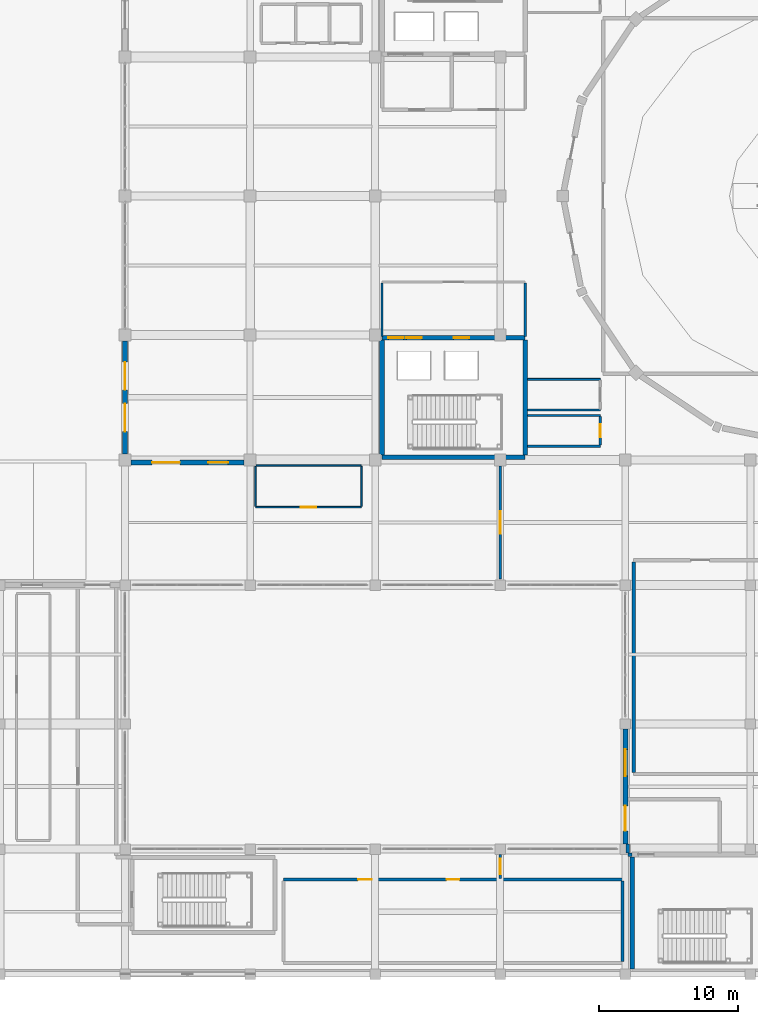
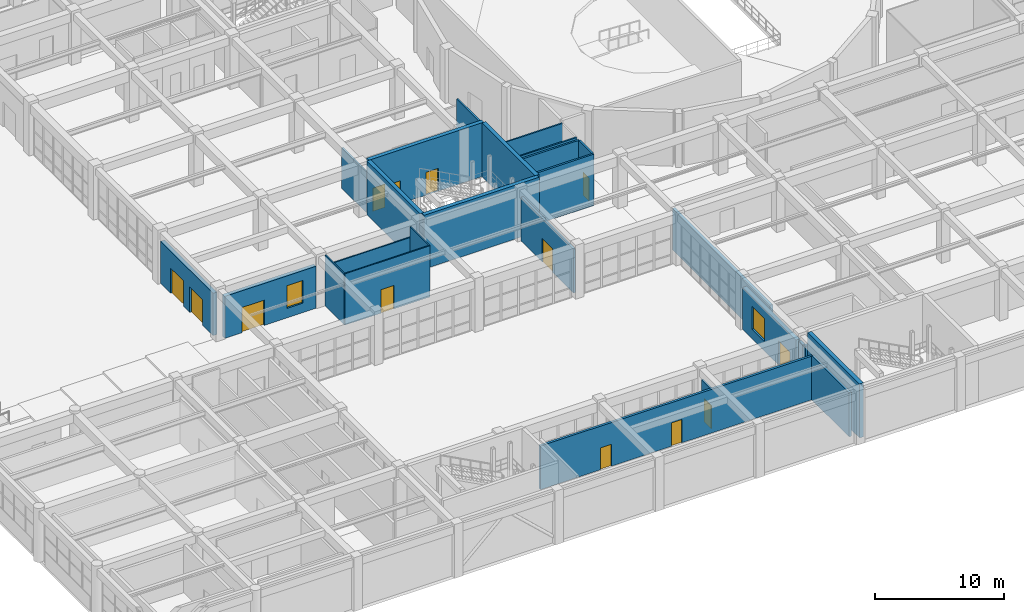
# One storey, part 101 of 128: 26 walls, 13 doors, 2 windows, 15 openings.
"""IFC4 building model written with IfcOpenShell, lengths in metres."""

import ifcopenshell
import ifcopenshell.guid

model = None  # the IFC model being written
_history = None  # IfcOwnerHistory: only IFC2X3 demands one
_inside = {}  # id of a spatial element -> (the spatial element, [elements in it])
_under = {}  # id of a project, library or spatial element -> (it, [spatial elements below it])
_declared = {}  # id of a project -> (the project, [libraries it declares])
_typed = {}  # id of a type object -> (the type object, [elements of that type])
_made_of = {}  # id of a material, layer set ... -> (it, [elements and type objects made of it])


def new_model(schema):
    """Start an empty IFC model of exactly this schema.

    Asked for "IFC4X3", IfcOpenShell would pick the latest addendum, in which some entities
    have other attributes; the version numbers below select the first issue.
    IFC2X3 requires an IfcOwnerHistory on every rooted entity: one is made here for all.
    """
    global model, _history
    if schema == "IFC4X3":
        model = ifcopenshell.file(schema_version=(4, 3, 0, 0))
    else:
        model = ifcopenshell.file(schema=schema)
    _inside.clear()
    _under.clear()
    _declared.clear()
    _typed.clear()
    _made_of.clear()
    _history = None
    if model.schema == "IFC2X3":
        org = make("IfcOrganization", Name="unknown")
        user = make(
            "IfcPersonAndOrganization",
            ThePerson=make("IfcPerson", FamilyName="unknown"),
            TheOrganization=org,
        )
        app = make(
            "IfcApplication",
            ApplicationDeveloper=org,
            Version="unknown",
            ApplicationFullName="unknown",
            ApplicationIdentifier="unknown",
        )
        _history = make(
            "IfcOwnerHistory",
            OwningUser=user,
            OwningApplication=app,
            ChangeAction="ADDED",
            CreationDate=0,
        )
    return model


def make(cls, **values):
    """One entity of the class cls with the attributes given. An attribute that is None is left unset."""
    return model.create_entity(
        cls, **{name: value for name, value in values.items() if value is not None}
    )


def rooted(cls, **values):
    """An entity with a GlobalId (a new one), such as an element, a storey or a relation."""
    return make(cls, GlobalId=ifcopenshell.guid.new(), OwnerHistory=_history, **values)


def si_unit(unit_type, name, prefix=None):
    """IfcSIUnit, for example si_unit("LENGTHUNIT", "METRE", prefix="MILLI")."""
    return make("IfcSIUnit", UnitType=unit_type, Prefix=prefix, Name=name)


def assignment(units):
    """IfcUnitAssignment: the units of a project."""
    return None if units is None else make("IfcUnitAssignment", Units=units)


def point(xyz):
    """IfcCartesianPoint."""
    return None if xyz is None else make("IfcCartesianPoint", Coordinates=xyz)


def direction(xyz):
    """IfcDirection."""
    return None if xyz is None else make("IfcDirection", DirectionRatios=xyz)


def frame(location, z_axis=None, x_axis=None):
    """IfcAxis2Placement3D, a coordinate frame: its origin and axes. An axis left out is left unset."""
    return make(
        "IfcAxis2Placement3D",
        Location=point(location),
        Axis=direction(z_axis),
        RefDirection=direction(x_axis),
    )


def frame_2d(location, x_axis=None):
    """IfcAxis2Placement2D, a coordinate frame in the plane: its origin and x axis."""
    return make(
        "IfcAxis2Placement2D", Location=point(location), RefDirection=direction(x_axis)
    )


def origin():
    """The frame at (0, 0, 0) with its axes left unset."""
    return frame((0.0, 0.0, 0.0))


def place(relative_to, where):
    """IfcLocalPlacement: puts the frame where relative to a parent placement (None: the world)."""
    return make(
        "IfcLocalPlacement", PlacementRelTo=relative_to, RelativePlacement=where
    )


def context(
    kind, dimensions, precision=None, world=None, true_north=None, identifier=None
):
    """IfcGeometricRepresentationContext, for example the 3D "Model" context."""
    return make(
        "IfcGeometricRepresentationContext",
        ContextIdentifier=identifier,
        ContextType=kind,
        CoordinateSpaceDimension=dimensions,
        Precision=precision,
        WorldCoordinateSystem=world,
        TrueNorth=true_north,
    )


def subcontext(parent, identifier, kind, view, scale=None):
    """IfcGeometricRepresentationSubContext, for example "Body" below "Model"."""
    return make(
        "IfcGeometricRepresentationSubContext",
        ContextIdentifier=identifier,
        ContextType=kind,
        ParentContext=parent,
        TargetScale=scale,
        TargetView=view,
    )


def project(units=None, contexts=None):
    """IfcProject with its units and contexts."""
    return rooted(
        "IfcProject",
        Name="project",
        RepresentationContexts=contexts,
        UnitsInContext=assignment(units),
    )


def spatial(cls, under=None, at=None, **own):
    """A site, building, storey or space (cls), placed at a placement, below another one or the project."""
    s = rooted(cls, ObjectPlacement=at, **own)
    if under is not None:
        _under.setdefault(under.id(), (under, []))[1].append(s)
    return s


def profile(cls, at=None, kind="AREA", **sizes):
    """A parametric profile (cls). Its sizes go by their IFC names, for example OverallWidth=200.0."""
    return make(cls, ProfileType=kind, Position=at, **sizes)


def rectangle(**sizes):
    """IfcRectangleProfileDef."""
    return profile("IfcRectangleProfileDef", **sizes)


def extrude(swept, where, along, depth):
    """IfcExtrudedAreaSolid: the profile swept, set in the frame where, extruded along a direction by depth."""
    return make(
        "IfcExtrudedAreaSolid",
        SweptArea=swept,
        Position=where,
        ExtrudedDirection=direction(along),
        Depth=depth,
    )


def shape(context_of_items, identifier, shape_type, items):
    """IfcShapeRepresentation: the items that make up one representation, for example the "Body"."""
    return make(
        "IfcShapeRepresentation",
        ContextOfItems=context_of_items,
        RepresentationIdentifier=identifier,
        RepresentationType=shape_type,
        Items=items,
    )


def material(Name=None, Category=None):
    """IfcMaterial."""
    return make("IfcMaterial", Name=Name, Category=Category)


def layer(
    of_material, thickness, ventilated=None, Name=None, Category=None, Priority=None
):
    """IfcMaterialLayer: one layer of a wall or slab, of a material (None: an air gap)."""
    return make(
        "IfcMaterialLayer",
        Material=of_material,
        LayerThickness=thickness,
        IsVentilated=ventilated,
        Name=Name,
        Category=Category,
        Priority=Priority,
    )


def layer_set(layers, Name=None):
    """IfcMaterialLayerSet."""
    return make("IfcMaterialLayerSet", MaterialLayers=layers, LayerSetName=Name)


def made_of(thing, what):
    """Note that an element or type object is made of a material, layer set ...; save() writes the relation."""
    if what is not None:
        _made_of.setdefault(what.id(), (what, []))[1].append(thing)
    return thing


def type_object(cls, material=None, **own):
    """A type object (cls), such as IfcWallType, which elements share."""
    return made_of(rooted(cls, **own), material)


def element(
    cls,
    number,
    at=None,
    inside=None,
    cuts=None,
    type_object=None,
    material=None,
    context=None,
    identifier="Body",
    shape_type=None,
    held_by="IfcProductDefinitionShape",
    body=None,
    shapes=None,
    **own,
):
    """One element of the class cls, such as IfcWall. Its Tag is "e" and its number.

    at: its placement. inside: the storey or other place that contains it. cuts: it is an
    opening in that element (IfcRelVoidsElement). A single representation is given by context,
    identifier, shape_type and body (its items); several are given by shapes. held_by: the class
    of the entity that holds the representations. save() writes the other relations.
    """
    e = rooted(cls, Tag="e%d" % number, ObjectPlacement=at, **own)
    if body is not None:
        shapes = [shape(context, identifier, shape_type, body)]
    if shapes is not None:
        e.Representation = make(held_by, Representations=shapes)
    if inside is not None:
        _inside.setdefault(inside.id(), (inside, []))[1].append(e)
    if cuts is not None:
        rooted(
            "IfcRelVoidsElement", RelatingBuildingElement=cuts, RelatedOpeningElement=e
        )
    if type_object is not None:
        _typed.setdefault(type_object.id(), (type_object, []))[1].append(e)
    return made_of(e, material)


def fill(opening, filler):
    """IfcRelFillsElement: the door or window that sits in an opening."""
    return rooted(
        "IfcRelFillsElement",
        RelatingOpeningElement=opening,
        RelatedBuildingElement=filler,
    )


def aggregate(whole, parts):
    """IfcRelAggregates: a whole, such as a stair, and the parts it consists of."""
    return rooted("IfcRelAggregates", RelatingObject=whole, RelatedObjects=parts)


def save(model, path):
    """Write the relations noted so far, then the file.

    IfcRelAggregates (storeys below a building ...), IfcRelContainedInSpatialStructure (elements
    in a storey), IfcRelDefinesByType, IfcRelAssociatesMaterial and IfcRelDeclares: one each for
    every whole, place, type object, material and project.
    """
    for whole, parts in _under.values():
        aggregate(whole, parts)
    for where, things in _inside.values():
        rooted(
            "IfcRelContainedInSpatialStructure",
            RelatedElements=things,
            RelatingStructure=where,
        )
    for kind, things in _typed.values():
        rooted("IfcRelDefinesByType", RelatedObjects=things, RelatingType=kind)
    for what, things in _made_of.values():
        rooted("IfcRelAssociatesMaterial", RelatedObjects=things, RelatingMaterial=what)
    for by, libraries in _declared.values():
        rooted("IfcRelDeclares", RelatingContext=by, RelatedDefinitions=libraries)
    model.write(path)


model = new_model("IFC4")

# Units and contexts
model_context = context("Model", 3, precision=1e-05, world=origin(), true_north=direction((0.0, 1.0)))
body_context = subcontext(model_context, "Body", "Model", "MODEL_VIEW")
ifc_project = project(units=[si_unit("LENGTHUNIT", "METRE"), si_unit("AREAUNIT", "SQUARE_METRE"), si_unit("VOLUMEUNIT", "CUBIC_METRE"), si_unit("PLANEANGLEUNIT", "RADIAN"), si_unit("MASSUNIT", "GRAM", prefix="KILO")], contexts=[model_context])

# Site, building, storey
site_placement = place(None, origin())
site = spatial("IfcSite", under=ifc_project, at=site_placement, CompositionType="ELEMENT")
building_placement = place(site_placement, origin())
building = spatial("IfcBuilding", under=site, at=building_placement, Name="Miravela Opera House", CompositionType="ELEMENT")
storey_placement = place(building_placement, origin())
storey = spatial("IfcBuildingStorey", under=building, at=storey_placement, Name="L00", CompositionType="ELEMENT", Elevation=0.0)

# Wall, openings, doors
ifc_material_1 = material(Name="Dark Guatemalan volcanic basalt stone ashlar", Category="masonry")
ifc_layer_1 = layer(ifc_material_1, 0.360107421875)
ifc_layer_set_1 = layer_set([ifc_layer_1])
wall_type_1 = type_object("IfcWallType", Name="ARC-EW-BASALT-360", PredefinedType="STANDARD", material=ifc_layer_set_1)
wall_1_placement = place(storey_placement, frame((27.0, 37.425048828125, 0.0), z_axis=(0.0, 0.0, 1.0), x_axis=(0.0, 1.0, 0.0)))
wall_1 = element("IfcWall", 1, at=wall_1_placement, inside=storey, type_object=wall_type_1, Name="West Foyer South Basalt Entrance Portal", PredefinedType="STANDARD", context=body_context, shape_type="SweptSolid", body=[
    extrude(rectangle(XDim=8.14990234375, YDim=0.360107421875, at=frame_2d((4.074951171875, 0.0))), origin(), (0.0, 0.0, 1.0), 4.0),
])
opening_1_placement = place(wall_1_placement, frame((1.625, 0.0, 0.0)))
opening_1 = element("IfcOpeningElement", 2, at=opening_1_placement, cuts=wall_1, Name="Opening EX-01", PredefinedType="OPENING", context=body_context, shape_type="SweptSolid", body=[
    extrude(rectangle(XDim=2.0, YDim=2.39990234375, at=frame_2d((1.0, 1.199951171875))), frame((0.0, 0.18994140625, 0.0), z_axis=(0.0, -1.0, 0.0), x_axis=(1.0, 0.0, 0.0)), (0.0, 0.0, 1.0), 0.380126953125),
])
opening_2_placement = place(wall_1_placement, frame((4.625, 0.0, 0.0)))
opening_2 = element("IfcOpeningElement", 3, at=opening_2_placement, cuts=wall_1, Name="Opening EX-01", PredefinedType="OPENING", context=body_context, shape_type="SweptSolid", body=[
    extrude(rectangle(XDim=2.0, YDim=2.39990234375, at=frame_2d((1.0, 1.199951171875))), frame((0.0, 0.18994140625, 0.0), z_axis=(0.0, -1.0, 0.0), x_axis=(1.0, 0.0, 0.0)), (0.0, 0.0, 1.0), 0.380126953125),
])
ifc_material_2 = material(Name="Anodised architectural bronze aluminium 6063-T6", Category="aluminium")
door_type_1 = type_object("IfcDoorType", Name="ARC-EXD-2000X2400", OperationType="NOTDEFINED", PredefinedType="DOOR", material=ifc_material_2)
door_1_placement = place(opening_1_placement, origin())
door_1 = element("IfcDoor", 4, at=door_1_placement, inside=storey, type_object=door_type_1, Name="Grand Foyer West Exit Door South 1 EXD-L00-001", OperationType="DOUBLE_DOOR_SINGLE_SWING", OverallHeight=2.39990234375, OverallWidth=2.0, PredefinedType="DOOR", context=body_context, shape_type="SweptSolid", body=[
    extrude(rectangle(XDim=2.0, YDim=2.39990234375, at=frame_2d((1.0, 1.199951171875))), frame((0.0, 0.02490234375, 0.0), z_axis=(0.0, -1.0, 0.0), x_axis=(1.0, 0.0, 0.0)), (0.0, 0.0, 1.0), 0.050048828125),
])
fill(opening_1, door_1)
door_2_placement = place(opening_2_placement, origin())
door_2 = element("IfcDoor", 5, at=door_2_placement, inside=storey, type_object=door_type_1, Name="Grand Foyer West Exit Door South 2 EXD-L00-002", OperationType="DOUBLE_DOOR_SINGLE_SWING", OverallHeight=2.39990234375, OverallWidth=2.0, PredefinedType="DOOR", context=body_context, shape_type="SweptSolid", body=[
    extrude(rectangle(XDim=2.0, YDim=2.39990234375, at=frame_2d((1.0, 1.199951171875))), frame((0.0, 0.02490234375, 0.0), z_axis=(0.0, -1.0, 0.0), x_axis=(1.0, 0.0, 0.0)), (0.0, 0.0, 1.0), 0.050048828125),
])
fill(opening_2, door_2)

# Wall, openings, door, window
wall_2_placement = place(storey_placement, frame((27.425048828125, 36.820068359375, 0.0), z_axis=(0.0, 0.0, 1.0), x_axis=(1.0, 0.0, 0.0)))
wall_2 = element("IfcWall", 6, at=wall_2_placement, inside=storey, type_object=wall_type_1, Name="Artist Courtyard Promenade Exit Wall", PredefinedType="STANDARD", context=body_context, shape_type="SweptSolid", body=[
    extrude(rectangle(XDim=8.14990234375, YDim=0.360107421875, at=frame_2d((4.074951171875, 0.0))), origin(), (0.0, 0.0, 1.0), 3.97998046875),
])
opening_3_placement = place(wall_2_placement, frame((1.52490234375, 0.0, 0.0)))
opening_3 = element("IfcOpeningElement", 7, at=opening_3_placement, cuts=wall_2, Name="Opening EX-01", PredefinedType="OPENING", context=body_context, shape_type="SweptSolid", body=[
    extrude(rectangle(XDim=2.0, YDim=2.39990234375, at=frame_2d((1.0, 1.199951171875))), frame((0.0, 0.18994140625, 0.0), z_axis=(0.0, -1.0, 0.0), x_axis=(1.0, 0.0, 0.0)), (0.0, 0.0, 1.0), 0.380126953125),
])
opening_4_placement = place(wall_2_placement, frame((5.550048828125, 0.0, 0.89990234375)))
opening_4 = element("IfcOpeningElement", 8, at=opening_4_placement, cuts=wall_2, Name="Opening W-24", PredefinedType="OPENING", context=body_context, shape_type="SweptSolid", body=[
    extrude(rectangle(XDim=1.449951171875, YDim=2.14990234375, at=frame_2d((0.72509765625, 1.074951171875))), frame((0.0, 0.18994140625, 0.0), z_axis=(0.0, -1.0, 0.0), x_axis=(1.0, 0.0, 0.0)), (0.0, 0.0, 1.0), 0.380126953125),
])
door_3_placement = place(opening_3_placement, frame((2.0, 0.0, 0.0), z_axis=(0.0, 0.0, 1.0), x_axis=(-1.0, 0.0, 0.0)))
door_3 = element("IfcDoor", 9, at=door_3_placement, inside=storey, type_object=door_type_1, Name="Artist Courtyard Promenade Exit EXD-L00-023", OperationType="DOUBLE_DOOR_SINGLE_SWING", OverallHeight=2.39990234375, OverallWidth=2.0, PredefinedType="DOOR", context=body_context, shape_type="SweptSolid", body=[
    extrude(rectangle(XDim=2.0, YDim=2.39990234375, at=frame_2d((1.0, 1.199951171875))), frame((0.0, 0.02490234375, 0.0), z_axis=(0.0, -1.0, 0.0), x_axis=(1.0, 0.0, 0.0)), (0.0, 0.0, 1.0), 0.050048828125),
])
fill(opening_3, door_3)
ifc_material_3 = material(Name="Bronze-anodised aluminium and acoustic low-E glass", Category="aluminium")
window_type_1 = type_object("IfcWindowType", Name="ARC-WIN-24", PartitioningType="DOUBLE_PANEL_VERTICAL", PredefinedType="WINDOW", material=ifc_material_3)
window_1_placement = place(opening_4_placement, origin())
window_1 = element("IfcWindow", 10, at=window_1_placement, inside=storey, type_object=window_type_1, Name="Window W-24 #018", OverallHeight=2.14990234375, OverallWidth=1.449951171875, PartitioningType="DOUBLE_PANEL_VERTICAL", PredefinedType="WINDOW", context=body_context, shape_type="SweptSolid", body=[
    extrude(rectangle(XDim=1.449951171875, YDim=2.14990234375, at=frame_2d((0.72509765625, 1.074951171875))), frame((0.0, 0.030029296875, 0.0), z_axis=(0.0, -1.0, 0.0), x_axis=(1.0, 0.0, 0.0)), (0.0, 0.0, 1.0), 0.06005859375),
])
fill(opening_4, window_1)

wall_3_placement = place(storey_placement, frame((63.0, 9.375, 0.0), z_axis=(0.0, 0.0, 1.0), x_axis=(0.0, 1.0, 0.0)))
wall_3 = element("IfcWall", 11, at=wall_3_placement, inside=storey, type_object=wall_type_1, Name="Stair ST-06 Artist Courtyard Exit Wall", PredefinedType="STANDARD", context=body_context, shape_type="SweptSolid", body=[
    extrude(rectangle(XDim=8.25, YDim=0.360107421875, at=frame_2d((4.125, 0.0))), origin(), (0.0, 0.0, 1.0), 3.97998046875),
])
opening_5_placement = place(wall_3_placement, frame((0.925048828125, 0.0, 0.0)))
opening_5 = element("IfcOpeningElement", 12, at=opening_5_placement, cuts=wall_3, Name="Opening EX-02", PredefinedType="OPENING", context=body_context, shape_type="SweptSolid", body=[
    extrude(rectangle(XDim=1.800048828125, YDim=2.300048828125, at=frame_2d((0.89990234375, 1.14990234375))), frame((0.0, 0.18994140625, 0.0), z_axis=(0.0, -1.0, 0.0), x_axis=(1.0, 0.0, 0.0)), (0.0, 0.0, 1.0), 0.380126953125),
])
opening_6_placement = place(wall_3_placement, frame((4.875, 0.0, 0.89990234375)))
opening_6 = element("IfcOpeningElement", 13, at=opening_6_placement, cuts=wall_3, Name="Opening W-26", PredefinedType="OPENING", context=body_context, shape_type="SweptSolid", body=[
    extrude(rectangle(XDim=1.919921875, YDim=2.14990234375, at=frame_2d((0.9599609375, 1.074951171875))), frame((0.0, 0.18994140625, 0.0), z_axis=(0.0, -1.0, 0.0), x_axis=(1.0, 0.0, 0.0)), (0.0, 0.0, 1.0), 0.380126953125),
])
door_type_2 = type_object("IfcDoorType", Name="ARC-EXD-1800X2300", OperationType="NOTDEFINED", PredefinedType="DOOR", material=ifc_material_2)
door_4_placement = place(opening_5_placement, origin())
door_4 = element("IfcDoor", 14, at=door_4_placement, inside=storey, type_object=door_type_2, Name="Stair ST-06 Artist Courtyard Exit EXD-L00-025", OperationType="DOUBLE_DOOR_SINGLE_SWING", OverallHeight=2.300048828125, OverallWidth=1.800048828125, PredefinedType="DOOR", context=body_context, shape_type="SweptSolid", body=[
    extrude(rectangle(XDim=1.800048828125, YDim=2.300048828125, at=frame_2d((0.89990234375, 1.14990234375))), frame((0.0, 0.02490234375, 0.0), z_axis=(0.0, -1.0, 0.0), x_axis=(1.0, 0.0, 0.0)), (0.0, 0.0, 1.0), 0.050048828125),
])
fill(opening_5, door_4)
window_type_2 = type_object("IfcWindowType", Name="ARC-WIN-26", PartitioningType="DOUBLE_PANEL_VERTICAL", PredefinedType="WINDOW", material=ifc_material_3)
window_2_placement = place(opening_6_placement, origin())
window_2 = element("IfcWindow", 15, at=window_2_placement, inside=storey, type_object=window_type_2, Name="Window W-26 #020", OverallHeight=2.14990234375, OverallWidth=1.919921875, PartitioningType="DOUBLE_PANEL_VERTICAL", PredefinedType="WINDOW", context=body_context, shape_type="SweptSolid", body=[
    extrude(rectangle(XDim=1.919921875, YDim=2.14990234375, at=frame_2d((0.9599609375, 1.074951171875))), frame((0.0, 0.030029296875, 0.0), z_axis=(0.0, -1.0, 0.0), x_axis=(1.0, 0.0, 0.0)), (0.0, 0.0, 1.0), 0.06005859375),
])
fill(opening_6, window_2)

# Wall, opening, door
ifc_material_4 = material(Name="Double-layer acoustic gypsum partition")
ifc_layer_2 = layer(ifc_material_4, 0.110107421875)
ifc_layer_set_2 = layer_set([ifc_layer_2])
wall_type_2 = type_object("IfcWallType", Name="ARC-PT-110", PredefinedType="PARTITIONING", material=ifc_layer_set_2)
wall_4_placement = place(storey_placement, frame((36.39990234375, 33.60009765625, 0.0), z_axis=(0.0, 0.0, 1.0), x_axis=(1.0, 0.0, 0.0)))
wall_4 = element("IfcWall", 16, at=wall_4_placement, inside=storey, type_object=wall_type_2, Name="Patron Dining Salon South Partition South", PredefinedType="PARTITIONING", context=body_context, shape_type="SweptSolid", body=[
    extrude(rectangle(XDim=7.60009765625, YDim=0.110107421875, at=frame_2d((3.800048828125, 0.0))), origin(), (0.0, 0.0, 1.0), 4.85009765625),
])
opening_7_placement = place(wall_4_placement, frame((3.22998046875, 0.0, 0.0)))
opening_7 = element("IfcOpeningElement", 17, at=opening_7_placement, cuts=wall_4, Name="Opening ID-24", PredefinedType="OPENING", context=body_context, shape_type="SweptSolid", body=[
    extrude(rectangle(XDim=1.139892578125, YDim=2.219970703125, at=frame_2d((0.56982421875, 1.10986328125))), frame((0.0, 0.06494140625, 0.0), z_axis=(0.0, -1.0, 0.0), x_axis=(1.0, 0.0, 0.0)), (0.0, 0.0, 1.0), 0.130126953125),
])
ifc_material_5 = material(Name="Hardwood acoustic timber door leaf", Category="wood")
door_type_3 = type_object("IfcDoorType", Name="ARC-IDR-114X222", OperationType="NOTDEFINED", PredefinedType="DOOR", material=ifc_material_5)
door_5_placement = place(opening_7_placement, frame((1.139892578125, 0.0, 0.0), z_axis=(0.0, 0.0, 1.0), x_axis=(-1.0, 0.0, 0.0)))
door_5 = element("IfcDoor", 18, at=door_5_placement, inside=storey, type_object=door_type_3, Name="Patron Dining Salon South Entry Door IDR-L00-0127", OperationType="SINGLE_SWING_RIGHT", OverallHeight=2.219970703125, OverallWidth=1.139892578125, PredefinedType="DOOR", context=body_context, shape_type="SweptSolid", body=[
    extrude(rectangle(XDim=1.139892578125, YDim=2.219970703125, at=frame_2d((0.56982421875, 1.10986328125))), frame((0.0, 0.02490234375, 0.0), z_axis=(0.0, -1.0, 0.0), x_axis=(1.0, 0.0, 0.0)), (0.0, 0.0, 1.0), 0.050048828125),
])
fill(opening_7, door_5)

# Walls
wall_5_placement = place(storey_placement, frame((36.39990234375, 36.60009765625, 0.0), z_axis=(0.0, 0.0, 1.0), x_axis=(1.0, 0.0, 0.0)))
element("IfcWall", 19, at=wall_5_placement, inside=storey, type_object=wall_type_2, Name="Patron Dining Salon South Partition North", PredefinedType="PARTITIONING", context=body_context, shape_type="SweptSolid", body=[
    extrude(rectangle(XDim=7.60009765625, YDim=0.110107421875, at=frame_2d((3.800048828125, 0.0))), origin(), (0.0, 0.0, 1.0), 3.830078125),
])
for number, where, z_axis, x_axis, name in (
    (20, (36.39990234375, 33.655029296875, 0.0), (0.0, 0.0, 1.0), (0.0, 1.0, 0.0), "Patron Dining Salon South Partition West"),
    (21, (44.0, 33.655029296875, 0.0), (0.0, 0.0, 1.0), (0.0, 1.0, 0.0), "Patron Dining Salon South Partition East"),
):
    element("IfcWall", number, at=place(storey_placement, frame(where, z_axis=z_axis, x_axis=x_axis)), inside=storey, type_object=wall_type_2, Name=name, PredefinedType="PARTITIONING", context=body_context, shape_type="SweptSolid", body=[
        extrude(rectangle(XDim=2.889892578125, YDim=0.110107421875, at=frame_2d((1.44482421875, 0.0))), origin(), (0.0, 0.0, 1.0), 4.85009765625),
    ])
ifc_material_6 = material(Name="Fire-rated acoustic gypsum partition")
ifc_layer_3 = layer(ifc_material_6, 0.1298828125)
ifc_layer_set_3 = layer_set([ifc_layer_3])
wall_type_3 = type_object("IfcWallType", Name="ARC-PT-130", PredefinedType="PARTITIONING", material=ifc_layer_set_3)
for number, where, z_axis, x_axis, name in (
    (22, (55.97509765625, 40.60009765625, 0.0), (0.0, 0.0, 1.0), (1.0, 0.0, 0.0), "Auditorium Stalls Vomitory South-West Partition South"),
    (23, (55.97509765625, 42.800048828125, 0.0), (0.0, 0.0, 1.0), (1.0, 0.0, 0.0), "Auditorium Stalls Vomitory South-West Partition North"),
):
    element("IfcWall", number, at=place(storey_placement, frame(where, z_axis=z_axis, x_axis=x_axis)), inside=storey, type_object=wall_type_3, Name=name, PredefinedType="PARTITIONING", context=body_context, shape_type="SweptSolid", body=[
        extrude(rectangle(XDim=5.224853515625, YDim=0.1298828125, at=frame_2d((2.6123046875, 0.0))), origin(), (0.0, 0.0, 1.0), 4.85009765625),
    ])
ifc_material_7 = material(Name="Studio double-stud acoustic partition")
ifc_layer_4 = layer(ifc_material_7, 0.14990234375)
ifc_layer_set_4 = layer_set([ifc_layer_4])
wall_type_4 = type_object("IfcWallType", Name="ARC-PT-145", PredefinedType="PARTITIONING", material=ifc_layer_set_4)
wall_6_placement = place(storey_placement, frame((45.5, 45.875, 0.0), z_axis=(0.0, 0.0, 1.0), x_axis=(0.0, 1.0, 0.0)))
element("IfcWall", 24, at=wall_6_placement, inside=storey, type_object=wall_type_4, Name="Passenger Lift Lobby K2 L00 Partition West", PredefinedType="PARTITIONING", context=body_context, shape_type="SweptSolid", body=[
    extrude(rectangle(XDim=3.85009765625, YDim=0.14990234375, at=frame_2d((1.925048828125, 0.0))), origin(), (0.0, 0.0, 1.0), 3.830078125),
])
wall_7_placement = place(storey_placement, frame((55.800048828125, 45.875, 0.0), z_axis=(0.0, 0.0, 1.0), x_axis=(0.0, 1.0, 0.0)))
element("IfcWall", 25, at=wall_7_placement, inside=storey, type_object=wall_type_4, Name="Passenger Lift Lobby K2 L00 Partition East", PredefinedType="PARTITIONING", context=body_context, shape_type="SweptSolid", body=[
    extrude(rectangle(XDim=3.85009765625, YDim=0.14990234375, at=frame_2d((1.925048828125, 0.0))), origin(), (0.0, 0.0, 1.0), 4.85009765625),
])
ifc_material_8 = material(Name="Rehearsal isolated acoustic partition")
ifc_layer_5 = layer(ifc_material_8, 0.169921875)
ifc_layer_set_5 = layer_set([ifc_layer_5])
wall_type_5 = type_object("IfcWallType", Name="ARC-PT-170", PredefinedType="PARTITIONING", material=ifc_layer_set_5)
for number, where, z_axis, x_axis, name in (
    (26, (55.97509765625, 38.0, 0.0), (0.0, 0.0, 1.0), (1.0, 0.0, 0.0), "Auditorium Stalls Vomitory South-East Partition South"),
    (27, (55.97509765625, 40.199951171875, 0.0), (0.0, 0.0, 1.0), (1.0, 0.0, 0.0), "Auditorium Stalls Vomitory South-East Partition North"),
):
    element("IfcWall", number, at=place(storey_placement, frame(where, z_axis=z_axis, x_axis=x_axis)), inside=storey, type_object=wall_type_5, Name=name, PredefinedType="PARTITIONING", context=body_context, shape_type="SweptSolid", body=[
        extrude(rectangle(XDim=5.224853515625, YDim=0.169921875, at=frame_2d((2.6123046875, 0.0))), origin(), (0.0, 0.0, 1.0), 4.85009765625),
    ])

# Wall, opening, door
wall_8_placement = place(storey_placement, frame((61.199951171875, 38.0849609375, 0.0), z_axis=(0.0, 0.0, 1.0), x_axis=(0.0, 1.0, 0.0)))
wall_8 = element("IfcWall", 28, at=wall_8_placement, inside=storey, type_object=wall_type_5, Name="Auditorium Stalls Vomitory South-East Partition East", PredefinedType="PARTITIONING", context=body_context, shape_type="SweptSolid", body=[
    extrude(rectangle(XDim=2.030029296875, YDim=0.169921875, at=frame_2d((1.01513671875, 0.0))), origin(), (0.0, 0.0, 1.0), 4.85009765625),
])
opening_8_placement = place(wall_8_placement, frame((0.5400390625, 0.0, 0.0)))
opening_8 = element("IfcOpeningElement", 29, at=opening_8_placement, cuts=wall_8, Name="Opening ID-01", PredefinedType="OPENING", context=body_context, shape_type="SweptSolid", body=[
    extrude(rectangle(XDim=0.949951171875, YDim=2.14990234375, at=frame_2d((0.47509765625, 1.074951171875))), frame((0.0, 0.094970703125, 0.0), z_axis=(0.0, -1.0, 0.0), x_axis=(1.0, 0.0, 0.0)), (0.0, 0.0, 1.0), 0.18994140625),
])
ifc_material_9 = material(Name="Solid mahogany acoustic room door")
door_type_4 = type_object("IfcDoorType", Name="ARC-DR-950X2150", OperationType="NOTDEFINED", PredefinedType="DOOR", material=ifc_material_9)
door_6_placement = place(opening_8_placement, frame((0.949951171875, 0.0, 0.0), z_axis=(0.0, 0.0, 1.0), x_axis=(-1.0, 0.0, 0.0)))
door_6 = element("IfcDoor", 30, at=door_6_placement, inside=storey, type_object=door_type_4, Name="Auditorium Stalls Vomitory South-East Entry Door IDR-L00-0099", OperationType="SINGLE_SWING_LEFT", OverallHeight=2.14990234375, OverallWidth=0.949951171875, PredefinedType="DOOR", context=body_context, shape_type="SweptSolid", body=[
    extrude(rectangle(XDim=0.949951171875, YDim=2.14990234375, at=frame_2d((0.47509765625, 1.074951171875))), frame((0.0, 0.02490234375, 0.0), z_axis=(0.0, -1.0, 0.0), x_axis=(1.0, 0.0, 0.0)), (0.0, 0.0, 1.0), 0.050048828125),
])
fill(opening_8, door_6)

ifc_material_10 = material(Name="Corridor fire-resisting masonry partition", Category="masonry")
ifc_layer_6 = layer(ifc_material_10, 0.18994140625)
ifc_layer_set_6 = layer_set([ifc_layer_6])
wall_type_6 = type_object("IfcWallType", Name="ARC-PT-190", PredefinedType="PARTITIONING", material=ifc_layer_set_6)
wall_9_placement = place(storey_placement, frame((54.0, 28.429931640625, 0.0), z_axis=(0.0, 0.0, 1.0), x_axis=(0.0, 1.0, 0.0)))
wall_9 = element("IfcWall", 31, at=wall_9_placement, inside=storey, type_object=wall_type_6, Name="Corridor Fire Smoke Compartment Partition PT-SMOKE-L00-0958", PredefinedType="PARTITIONING", context=body_context, shape_type="SweptSolid", body=[
    extrude(rectangle(XDim=8.14013671875, YDim=0.18994140625, at=frame_2d((4.070068359375, 0.0))), origin(), (0.0, 0.0, 1.0), 4.14990234375),
])
opening_9_placement = place(wall_9_placement, frame((3.27001953125, 0.0, 0.0)))
opening_9 = element("IfcOpeningElement", 32, at=opening_9_placement, cuts=wall_9, Name="Opening FD-04", PredefinedType="OPENING", context=body_context, shape_type="SweptSolid", body=[
    extrude(rectangle(XDim=1.60009765625, YDim=2.25, at=frame_2d((0.800048828125, 1.125))), frame((0.0, 0.10498046875, 0.0), z_axis=(0.0, -1.0, 0.0), x_axis=(1.0, 0.0, 0.0)), (0.0, 0.0, 1.0), 0.2099609375),
])
ifc_material_11 = material(Name="Fire-rated rehearsal/vomitory double door")
door_type_5 = type_object("IfcDoorType", Name="ARC-FD-1600X2250", OperationType="NOTDEFINED", PredefinedType="DOOR", material=ifc_material_11)
door_7_placement = place(opening_9_placement, frame((1.60009765625, 0.0, 0.0), z_axis=(0.0, 0.0, 1.0), x_axis=(-1.0, 0.0, 0.0)))
door_7 = element("IfcDoor", 33, at=door_7_placement, inside=storey, type_object=door_type_5, Name="Corridor Smoke Compartment Door 02 IDR-L00-0348", OperationType="DOUBLE_DOOR_SINGLE_SWING", OverallHeight=2.25, OverallWidth=1.60009765625, PredefinedType="DOOR", context=body_context, shape_type="SweptSolid", body=[
    extrude(rectangle(XDim=1.60009765625, YDim=2.25, at=frame_2d((0.800048828125, 1.125))), frame((0.0, 0.02490234375, 0.0), z_axis=(0.0, -1.0, 0.0), x_axis=(1.0, 0.0, 0.0)), (0.0, 0.0, 1.0), 0.050048828125),
])
fill(opening_9, door_7)

wall_10_placement = place(storey_placement, frame((54.0, 6.8798828125, 0.0), z_axis=(0.0, 0.0, 1.0), x_axis=(0.0, 1.0, 0.0)))
wall_10 = element("IfcWall", 34, at=wall_10_placement, inside=storey, type_object=wall_type_6, Name="Corridor Fire Smoke Compartment Partition PT-SMOKE-L00-0959", PredefinedType="PARTITIONING", context=body_context, shape_type="SweptSolid", body=[
    extrude(rectangle(XDim=1.72021484375, YDim=0.18994140625, at=frame_2d((0.860107421875, 0.0))), origin(), (0.0, 0.0, 1.0), 3.830078125),
])
opening_10_placement = place(wall_10_placement, frame((0.31005859375, 0.0, 0.0)))
opening_10 = element("IfcOpeningElement", 35, at=opening_10_placement, cuts=wall_10, Name="Opening FD-01", PredefinedType="OPENING", context=body_context, shape_type="SweptSolid", body=[
    extrude(rectangle(XDim=1.10009765625, YDim=2.199951171875, at=frame_2d((0.550048828125, 1.10009765625))), frame((0.0, 0.10498046875, 0.0), z_axis=(0.0, -1.0, 0.0), x_axis=(1.0, 0.0, 0.0)), (0.0, 0.0, 1.0), 0.2099609375),
])
ifc_material_12 = material(Name="Fire-rated steel/hardwood exit stair door", Category="steel")
door_type_6 = type_object("IfcDoorType", Name="ARC-FD-1100X2200", OperationType="NOTDEFINED", PredefinedType="DOOR", material=ifc_material_12)
door_8_placement = place(opening_10_placement, frame((1.10009765625, 0.0, 0.0), z_axis=(0.0, 0.0, 1.0), x_axis=(-1.0, 0.0, 0.0)))
door_8 = element("IfcDoor", 36, at=door_8_placement, inside=storey, type_object=door_type_6, Name="Corridor Smoke Compartment Door 03 IDR-L00-0349", OperationType="SINGLE_SWING_RIGHT", OverallHeight=2.199951171875, OverallWidth=1.10009765625, PredefinedType="DOOR", context=body_context, shape_type="SweptSolid", body=[
    extrude(rectangle(XDim=1.10009765625, YDim=2.199951171875, at=frame_2d((0.550048828125, 1.10009765625))), frame((0.0, 0.02490234375, 0.0), z_axis=(0.0, -1.0, 0.0), x_axis=(1.0, 0.0, 0.0)), (0.0, 0.0, 1.0), 0.050048828125),
])
fill(opening_10, door_8)

# Wall, openings, doors
ifc_material_13 = material(Name="Workshop fire-resisting block partition")
ifc_layer_7 = layer(ifc_material_13, 0.2099609375)
ifc_layer_set_7 = layer_set([ifc_layer_7])
wall_type_7 = type_object("IfcWallType", Name="ARC-PT-210", PredefinedType="PARTITIONING", material=ifc_layer_set_7)
wall_11_placement = place(storey_placement, frame((38.39990234375, 6.800048828125, 0.0), z_axis=(0.0, 0.0, 1.0), x_axis=(1.0, 0.0, 0.0)))
wall_11 = element("IfcWall", 37, at=wall_11_placement, inside=storey, type_object=wall_type_7, Name="Carpentry and Stage Metalwork Workshop Partition North", PredefinedType="PARTITIONING", context=body_context, shape_type="SweptSolid", body=[
    extrude(rectangle(XDim=24.400146484375, YDim=0.2099609375, at=frame_2d((12.2001953125, 0.0))), origin(), (0.0, 0.0, 1.0), 4.1298828125),
])
opening_11_placement = place(wall_11_placement, frame((11.739990234375, 0.0, 0.0)))
opening_11 = element("IfcOpeningElement", 38, at=opening_11_placement, cuts=wall_11, Name="Opening ID-12", PredefinedType="OPENING", context=body_context, shape_type="SweptSolid", body=[
    extrude(rectangle(XDim=0.919921875, YDim=2.219970703125, at=frame_2d((0.4599609375, 1.10986328125))), frame((0.0, 0.114990234375, 0.0), z_axis=(0.0, -1.0, 0.0), x_axis=(1.0, 0.0, 0.0)), (0.0, 0.0, 1.0), 0.22998046875),
])
opening_12_placement = place(wall_11_placement, frame((5.367919921875, 0.0, 0.0)))
opening_12 = element("IfcOpeningElement", 39, at=opening_12_placement, cuts=wall_11, Name="Opening ID-13", PredefinedType="OPENING", context=body_context, shape_type="SweptSolid", body=[
    extrude(rectangle(XDim=0.97998046875, YDim=2.080078125, at=frame_2d((0.489990234375, 1.0400390625))), frame((0.0, 0.114990234375, 0.0), z_axis=(0.0, -1.0, 0.0), x_axis=(1.0, 0.0, 0.0)), (0.0, 0.0, 1.0), 0.22998046875),
])
door_type_7 = type_object("IfcDoorType", Name="ARC-IDR-92X222", OperationType="NOTDEFINED", PredefinedType="DOOR", material=ifc_material_5)
door_9_placement = place(opening_11_placement, frame((0.919921875, 0.0, 0.0), z_axis=(0.0, 0.0, 1.0), x_axis=(-1.0, 0.0, 0.0)))
door_9 = element("IfcDoor", 40, at=door_9_placement, inside=storey, type_object=door_type_7, Name="Carpentry and Stage Metalwork Workshop Entry Door IDR-L00-0109", OperationType="SINGLE_SWING_RIGHT", OverallHeight=2.219970703125, OverallWidth=0.919921875, PredefinedType="DOOR", context=body_context, shape_type="SweptSolid", body=[
    extrude(rectangle(XDim=0.919921875, YDim=2.219970703125, at=frame_2d((0.4599609375, 1.10986328125))), frame((0.0, 0.02490234375, 0.0), z_axis=(0.0, -1.0, 0.0), x_axis=(1.0, 0.0, 0.0)), (0.0, 0.0, 1.0), 0.050048828125),
])
fill(opening_11, door_9)
door_type_8 = type_object("IfcDoorType", Name="ARC-IDR-98X208", OperationType="NOTDEFINED", PredefinedType="DOOR", material=ifc_material_5)
door_10_placement = place(opening_12_placement, frame((0.97998046875, 0.0, 0.0), z_axis=(0.0, 0.0, 1.0), x_axis=(-1.0, 0.0, 0.0)))
door_10 = element("IfcDoor", 41, at=door_10_placement, inside=storey, type_object=door_type_8, Name="Carpentry and Stage Metalwork Workshop Secondary Exit Door IDR-L00-0110", OperationType="SINGLE_SWING_LEFT", OverallHeight=2.080078125, OverallWidth=0.97998046875, PredefinedType="DOOR", context=body_context, shape_type="SweptSolid", body=[
    extrude(rectangle(XDim=0.97998046875, YDim=2.080078125, at=frame_2d((0.489990234375, 1.0400390625))), frame((0.0, 0.02490234375, 0.0), z_axis=(0.0, -1.0, 0.0), x_axis=(1.0, 0.0, 0.0)), (0.0, 0.0, 1.0), 0.050048828125),
])
fill(opening_12, door_10)

# Walls
wall_12_placement = place(storey_placement, frame((62.800048828125, 0.905029296875, 0.0), z_axis=(0.0, 0.0, 1.0), x_axis=(0.0, 1.0, 0.0)))
element("IfcWall", 42, at=wall_12_placement, inside=storey, type_object=wall_type_7, Name="Carpentry and Stage Metalwork Workshop Partition East", PredefinedType="PARTITIONING", context=body_context, shape_type="SweptSolid", body=[
    extrude(rectangle(XDim=5.7900390625, YDim=0.2099609375, at=frame_2d((2.89501953125, 0.0))), origin(), (0.0, 0.0, 1.0), 4.179931640625),
])
ifc_material_14 = material(Name="Firefighting lobby compartment wall")
ifc_layer_8 = layer(ifc_material_14, 0.25)
ifc_layer_set_8 = layer_set([ifc_layer_8])
wall_type_8 = type_object("IfcWallType", Name="ARC-PT-220", PredefinedType="PARTITIONING", material=ifc_layer_set_8)
wall_13_placement = place(storey_placement, frame((63.60009765625, 14.52490234375, 0.0), z_axis=(0.0, 0.0, 1.0), x_axis=(0.0, 1.0, 0.0)))
element("IfcWall", 43, at=wall_13_placement, inside=storey, type_object=wall_type_8, Name="Stage Footwear and Leather Workshop Partition West", PredefinedType="PARTITIONING", context=body_context, shape_type="SweptSolid", body=[
    extrude(rectangle(XDim=15.150146484375, YDim=0.25, at=frame_2d((7.5751953125, 0.0))), origin(), (0.0, 0.0, 1.0), 3.929931640625),
])
wall_14_placement = place(storey_placement, frame((63.179931640625, 8.60009765625, 0.0), z_axis=(0.0, 0.0, 1.0), x_axis=(1.0, 0.0, 0.0)))
element("IfcWall", 44, at=wall_14_placement, inside=storey, type_object=wall_type_8, Name="Protected Exit Passageway ST-06 Partition South", PredefinedType="PARTITIONING", context=body_context, shape_type="SweptSolid", body=[
    extrude(rectangle(XDim=0.320068359375, YDim=0.25, at=frame_2d((0.16015625, 0.0))), origin(), (0.0, 0.0, 1.0), 3.830078125),
])
wall_15_placement = place(storey_placement, frame((63.179931640625, 8.72509765625, 0.0), z_axis=(0.0, 0.0, 1.0), x_axis=(0.0, 1.0, 0.0)))
element("IfcWall", 45, at=wall_15_placement, inside=storey, type_object=wall_type_8, Name="Protected Exit Passageway ST-06 Partition West", PredefinedType="PARTITIONING", context=body_context, shape_type="SweptSolid", body=[
    extrude(rectangle(XDim=0.64990234375, YDim=0.25, at=frame_2d((0.324951171875, 0.0))), origin(), (0.0, 0.0, 1.0), 3.830078125),
])
ifc_material_15 = material(Name="Concrete C40/50", Category="concrete")
ifc_layer_9 = layer(ifc_material_15, 0.35009765625)
ifc_layer_set_9 = layer_set([ifc_layer_9])
wall_type_9 = type_object("IfcWallType", Name="STR-WALL-CORE-350", PredefinedType="SHEAR", material=ifc_layer_set_9)
wall_16_placement = place(storey_placement, frame((45.5, 37.199951171875, 0.0), z_axis=(0.0, 0.0, 1.0), x_axis=(1.0, 0.0, 0.0)))
element("IfcWall", 46, at=wall_16_placement, inside=storey, type_object=wall_type_9, Name="Core K2 Shear Wall South (L00)", PredefinedType="SHEAR", context=body_context, shape_type="SweptSolid", body=[
    extrude(rectangle(XDim=10.300048828125, YDim=0.35009765625, at=frame_2d((5.14990234375, 0.0))), origin(), (0.0, 0.0, 1.0), 5.10009765625),
])

# Wall, openings, doors
wall_17_placement = place(storey_placement, frame((45.5, 45.800048828125, 0.0), z_axis=(0.0, 0.0, 1.0), x_axis=(1.0, 0.0, 0.0)))
wall_17 = element("IfcWall", 47, at=wall_17_placement, inside=storey, type_object=wall_type_9, Name="Core K2 Shear Wall North (L00)", PredefinedType="SHEAR", context=body_context, shape_type="SweptSolid", body=[
    extrude(rectangle(XDim=10.300048828125, YDim=0.35009765625, at=frame_2d((5.14990234375, 0.0))), origin(), (0.0, 0.0, 1.0), 5.10009765625),
])
opening_13_placement = place(wall_17_placement, frame((0.449951171875, 0.0, 0.0)))
opening_13 = element("IfcOpeningElement", 48, at=opening_13_placement, cuts=wall_17, Name="Opening FD-01", PredefinedType="OPENING", context=body_context, shape_type="SweptSolid", body=[
    extrude(rectangle(XDim=1.10009765625, YDim=2.199951171875, at=frame_2d((0.550048828125, 1.10009765625))), frame((0.0, 0.18505859375, 0.0), z_axis=(0.0, -1.0, 0.0), x_axis=(1.0, 0.0, 0.0)), (0.0, 0.0, 1.0), 0.3701171875),
])
opening_14_placement = place(wall_17_placement, frame((1.739990234375, 0.0, 0.0)))
opening_14 = element("IfcOpeningElement", 49, at=opening_14_placement, cuts=wall_17, Name="Opening LD-02", PredefinedType="OPENING", context=body_context, shape_type="SweptSolid", body=[
    extrude(rectangle(XDim=1.1201171875, YDim=2.159912109375, at=frame_2d((0.56005859375, 1.080078125))), frame((0.0, 0.18505859375, 0.0), z_axis=(0.0, -1.0, 0.0), x_axis=(1.0, 0.0, 0.0)), (0.0, 0.0, 1.0), 0.3701171875),
])
opening_15_placement = place(wall_17_placement, frame((5.139892578125, 0.0, 0.0)))
opening_15 = element("IfcOpeningElement", 50, at=opening_15_placement, cuts=wall_17, Name="Opening LD-02", PredefinedType="OPENING", context=body_context, shape_type="SweptSolid", body=[
    extrude(rectangle(XDim=1.1201171875, YDim=2.159912109375, at=frame_2d((0.56005859375, 1.080078125))), frame((0.0, 0.18505859375, 0.0), z_axis=(0.0, -1.0, 0.0), x_axis=(1.0, 0.0, 0.0)), (0.0, 0.0, 1.0), 0.3701171875),
])
door_11_placement = place(opening_13_placement, frame((1.10009765625, 0.0, 0.0), z_axis=(0.0, 0.0, 1.0), x_axis=(-1.0, 0.0, 0.0)))
door_11 = element("IfcDoor", 51, at=door_11_placement, inside=storey, type_object=door_type_6, Name="Exit Stair ST-02 Rated Door (L00) IDR-L00-0009", OperationType="SINGLE_SWING_LEFT", OverallHeight=2.199951171875, OverallWidth=1.10009765625, PredefinedType="DOOR", context=body_context, shape_type="SweptSolid", body=[
    extrude(rectangle(XDim=1.10009765625, YDim=2.199951171875, at=frame_2d((0.550048828125, 1.10009765625))), frame((0.0, 0.02490234375, 0.0), z_axis=(0.0, -1.0, 0.0), x_axis=(1.0, 0.0, 0.0)), (0.0, 0.0, 1.0), 0.050048828125),
])
fill(opening_13, door_11)
ifc_material_16 = material(Name="Brushed stainless and bronze fire-rated lift landing door")
door_type_9 = type_object("IfcDoorType", Name="ARC-LD-PAX-1100X2150", OperationType="SLIDING_TO_LEFT", PredefinedType="DOOR", material=ifc_material_16)
door_12_placement = place(opening_14_placement, origin())
door_12 = element("IfcDoor", 52, at=door_12_placement, inside=storey, type_object=door_type_9, Name="Lift Landing Door PL-02 (L00)", OperationType="SLIDING_TO_LEFT", OverallHeight=2.159912109375, OverallWidth=1.1201171875, PredefinedType="DOOR", context=body_context, shape_type="SweptSolid", body=[
    extrude(rectangle(XDim=1.1201171875, YDim=2.159912109375, at=frame_2d((0.56005859375, 1.080078125))), frame((0.0, 0.02490234375, 0.0), z_axis=(0.0, -1.0, 0.0), x_axis=(1.0, 0.0, 0.0)), (0.0, 0.0, 1.0), 0.050048828125),
])
fill(opening_14, door_12)
door_13_placement = place(opening_15_placement, origin())
door_13 = element("IfcDoor", 53, at=door_13_placement, inside=storey, type_object=door_type_9, Name="Lift Landing Door PL-03 (L00)", OperationType="SLIDING_TO_LEFT", OverallHeight=2.159912109375, OverallWidth=1.1201171875, PredefinedType="DOOR", context=body_context, shape_type="SweptSolid", body=[
    extrude(rectangle(XDim=1.1201171875, YDim=2.159912109375, at=frame_2d((0.56005859375, 1.080078125))), frame((0.0, 0.02490234375, 0.0), z_axis=(0.0, -1.0, 0.0), x_axis=(1.0, 0.0, 0.0)), (0.0, 0.0, 1.0), 0.050048828125),
])
fill(opening_15, door_13)

# Walls
for number, where, z_axis, x_axis, name in (
    (54, (45.5, 37.375, 0.0), (0.0, 0.0, 1.0), (0.0, 1.0, 0.0), "Core K2 Shear Wall West (L00)"),
    (55, (55.800048828125, 37.375, 0.0), (0.0, 0.0, 1.0), (0.0, 1.0, 0.0), "Core K2 Shear Wall East (L00)"),
):
    element("IfcWall", number, at=place(storey_placement, frame(where, z_axis=z_axis, x_axis=x_axis)), inside=storey, type_object=wall_type_9, Name=name, PredefinedType="SHEAR", context=body_context, shape_type="SweptSolid", body=[
        extrude(rectangle(XDim=8.25, YDim=0.35009765625, at=frame_2d((4.125, 0.0))), origin(), (0.0, 0.0, 1.0), 5.10009765625),
    ])
wall_18_placement = place(storey_placement, frame((63.5, 0.375, 0.0), z_axis=(0.0, 0.0, 1.0), x_axis=(0.0, 1.0, 0.0)))
element("IfcWall", 56, at=wall_18_placement, inside=storey, type_object=wall_type_9, Name="Core K6 Shear Wall West (L00)", PredefinedType="SHEAR", context=body_context, shape_type="SweptSolid", body=[
    extrude(rectangle(XDim=8.050048828125, YDim=0.35009765625, at=frame_2d((4.02490234375, 0.0))), origin(), (0.0, 0.0, 1.0), 5.10009765625),
])

save(model, "model.ifc")
